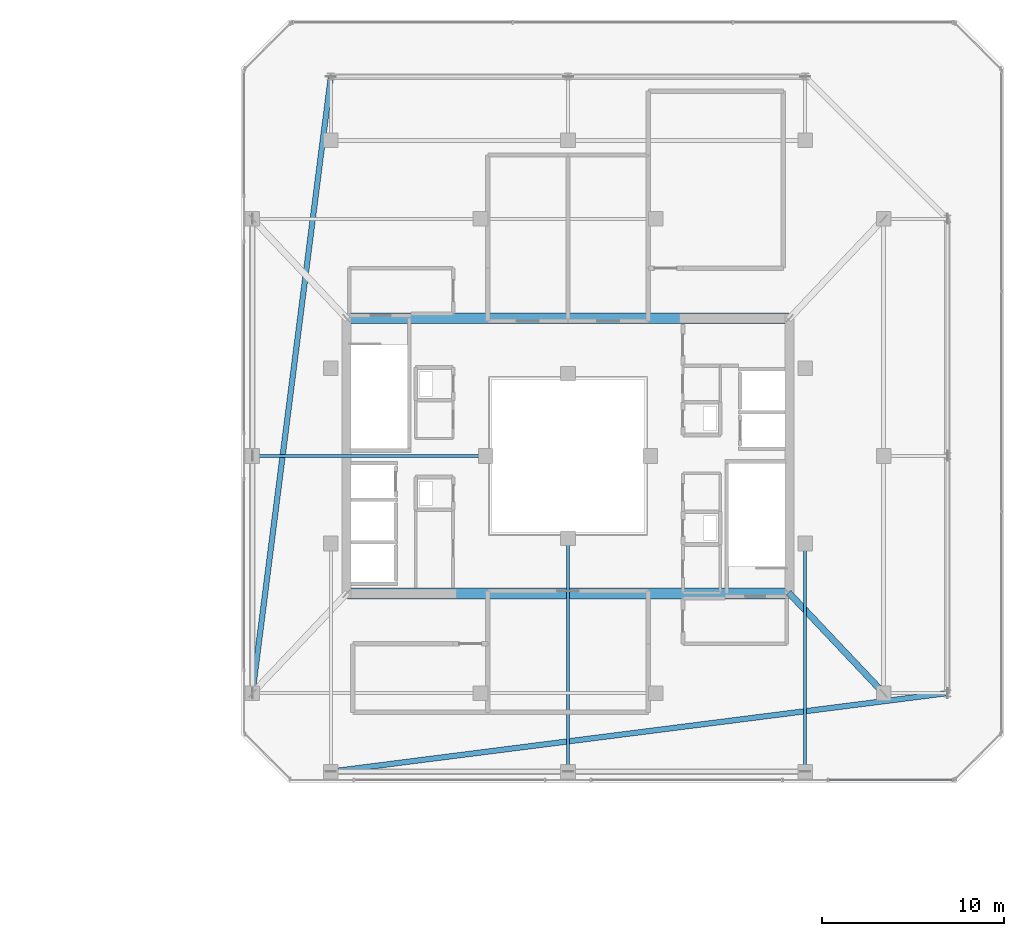
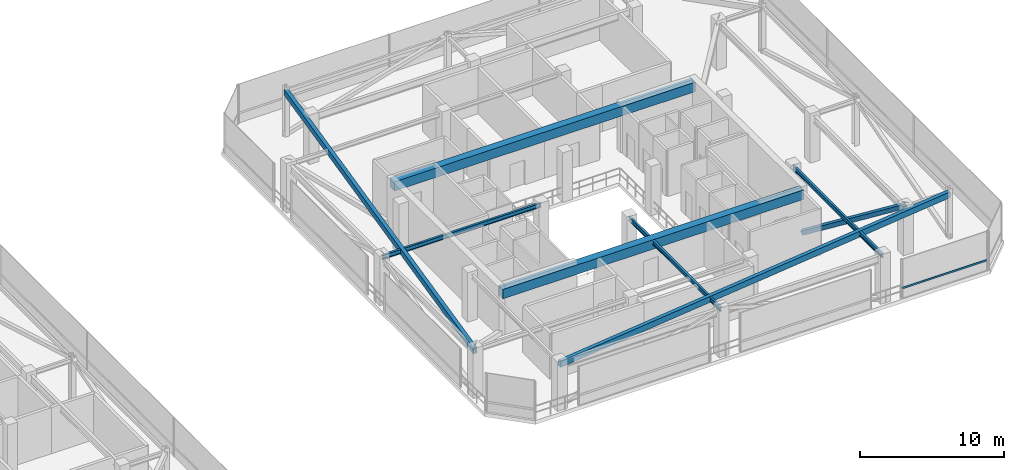
# One storey, part 28 of 47: 7 beams, 2 members, 1 element without a shape of its own.
"""IFC4 building model written with IfcOpenShell, lengths in metres."""

from ifc_helpers import new_model, si_unit, direction, frame, origin, origin_2d, place, context, subcontext, project, spatial, rectangle, hollow_rectangle, i_section, extrude, material, material_profile, profile_set, type_object, element, aggregate, save


model = new_model("IFC4")

# Units and contexts
model_context = context("Model", 3, precision=1e-05, world=origin(), true_north=direction((0.0, 1.0)))
body_context = subcontext(model_context, "Body", "Model", "MODEL_VIEW")
ifc_project = project(units=[si_unit("LENGTHUNIT", "METRE"), si_unit("AREAUNIT", "SQUARE_METRE"), si_unit("VOLUMEUNIT", "CUBIC_METRE"), si_unit("PLANEANGLEUNIT", "RADIAN"), si_unit("MASSUNIT", "GRAM", prefix="KILO")], contexts=[model_context])

# Site, building, storey
site_placement = place(None, origin())
site = spatial("IfcSite", under=ifc_project, at=site_placement, CompositionType="ELEMENT")
building_placement = place(site_placement, origin())
building = spatial("IfcBuilding", under=site, at=building_placement, Name="Thornwick Lancets Civic Towers", CompositionType="ELEMENT")
storey_placement = place(building_placement, frame((0.0, 0.0, 279.89990234375)))
storey = spatial("IfcBuildingStorey", under=building, at=storey_placement, Name="C01", CompositionType="ELEMENT", Elevation=279.89990234375)

# Beams
ifc_material_1 = material(Name="Concrete C60/75", Category="concrete")
ifc_material_profile_1 = material_profile(ifc_material_1, rectangle(XDim=0.60009765625, YDim=0.800048828125, at=origin_2d()), Name="RC 600x800")
ifc_profile_set_1 = profile_set([ifc_material_profile_1], Name="Concrete C60/75")
beam_type_1 = type_object("IfcBeamType", Name="BM_COUP_RC800", PredefinedType="BEAM", material=ifc_profile_set_1)
for number, where, z_axis, x_axis, name in (
    (1, (76.39990234375, 34.550048828125, 3.5400390625), (1.0, 0.0, 0.0), (0.0, 1.0, 0.0), "CB-C01-B1"),
    (2, (76.39990234375, 19.449951171875, 3.5400390625), (1.0, 0.0, 0.0), (0.0, 1.0, 0.0), "CB-C01-B2"),
):
    element("IfcBeam", number, at=place(storey_placement, frame(where, z_axis=z_axis, x_axis=x_axis)), inside=storey, type_object=beam_type_1, Name=name, PredefinedType="BEAM", context=body_context, shape_type="SweptSolid", body=[
        extrude(rectangle(XDim=0.60009765625, YDim=0.800048828125, at=origin_2d()), origin(), (0.0, 0.0, 1.0), 24.2001953125),
    ])
ifc_material_2 = material(Name="Steel S355JR", Category="steel")
ifc_material_profile_2 = material_profile(ifc_material_2, i_section(OverallWidth=0.173095703125, OverallDepth=0.36328125, WebThickness=0.009033203125, FlangeThickness=0.015625, FilletRadius=0.01025390625, at=origin_2d()), Name="UKB 356x171x67")
ifc_profile_set_2 = profile_set([ifc_material_profile_2], Name="Steel S355JR")
beam_type_2 = type_object("IfcBeamType", Name="BM_JOIST_356_67", PredefinedType="JOIST", material=ifc_profile_set_2)
beam_1_placement = place(storey_placement, frame((84.0, 27.0, 3.75830078125), z_axis=(-1.0, 0.0, 0.0), x_axis=(0.0, -1.0, 0.0)))
element("IfcBeam", 3, at=beam_1_placement, inside=storey, type_object=beam_type_2, Name="BM-RADIN-C01-B08", PredefinedType="JOIST", context=body_context, shape_type="SweptSolid", body=[
    extrude(i_section(OverallWidth=0.173095703125, OverallDepth=0.36328125, WebThickness=0.009033203125, FlangeThickness=0.015625, FilletRadius=0.01025390625, at=origin_2d()), origin(), (0.0, 0.0, 1.0), 12.800048828125),
])
beam_2_placement = place(storey_placement, frame((101.5, 22.199951171875, 3.75830078125), z_axis=(0.0, -1.0, 0.0), x_axis=(1.0, 0.0, 0.0)))
element("IfcBeam", 4, at=beam_2_placement, inside=storey, type_object=beam_type_2, Name="BM-RADIN-C01-B10", PredefinedType="JOIST", context=body_context, shape_type="SweptSolid", body=[
    extrude(i_section(OverallWidth=0.173095703125, OverallDepth=0.36328125, WebThickness=0.009033203125, FlangeThickness=0.015625, FilletRadius=0.01025390625, at=origin_2d()), origin(), (0.0, 0.0, 1.0), 12.5),
])
beam_3_placement = place(storey_placement, frame((88.5, 22.5, 3.75830078125), z_axis=(0.0, -1.0, 0.0), x_axis=(1.0, 0.0, 0.0)))
element("IfcBeam", 5, at=beam_3_placement, inside=storey, type_object=beam_type_2, Name="BM-RADIN-C01-B11", PredefinedType="JOIST", context=body_context, shape_type="SweptSolid", body=[
    extrude(i_section(OverallWidth=0.173095703125, OverallDepth=0.36328125, WebThickness=0.009033203125, FlangeThickness=0.015625, FilletRadius=0.01025390625, at=origin_2d()), origin(), (0.0, 0.0, 1.0), 12.800048828125),
])
ifc_material_3 = material(Name="Steel S460M", Category="steel")
ifc_material_profile_3 = material_profile(ifc_material_3, hollow_rectangle(XDim=0.300048828125, YDim=0.5, WallThickness=0.02001953125, at=origin_2d()), Name="RHS 500x300x20")
ifc_profile_set_3 = profile_set([ifc_material_profile_3], Name="Steel S460M")
beam_type_3 = type_object("IfcBeamType", Name="BM_RING_RHS500", PredefinedType="BEAM", material=ifc_profile_set_3)
for number, where, z_axis, x_axis, name in (
    (6, (75.5, 47.800048828125, 3.690185546875), (-0.126202998662, -0.992004437051, 0.0), (0.992004437051, -0.126202998662, 0.0), "BM-CHAMF-C01-B-C1"),
    (7, (75.5, 9.699951171875, 3.690185546875), (0.992004437051, 0.126202998662, 0.0), (-0.126202998662, 0.992004437051, 0.0), "BM-CHAMF-C01-B-C3"),
):
    element("IfcBeam", number, at=place(storey_placement, frame(where, z_axis=z_axis, x_axis=x_axis)), inside=storey, type_object=beam_type_3, Name=name, PredefinedType="BEAM", context=body_context, shape_type="SweptSolid", body=[
        extrude(hollow_rectangle(XDim=0.300048828125, YDim=0.5, WallThickness=0.02001953125, at=origin_2d()), origin(), (0.0, 0.0, 1.0), 34.072509765625),
    ])

# Curtain wall, member
ifc_material_4 = material(Name="Crown ring acoustic-louvre and glazing screen wall", Category="glass")
curtain_wall_type = type_object("IfcCurtainWallType", Name="CW_SYS_07", PredefinedType="NOTDEFINED", material=ifc_material_4)
curtain_wall_placement = place(storey_placement, origin())
curtain_wall = element("IfcCurtainWall", 8, at=curtain_wall_placement, inside=storey, type_object=curtain_wall_type, Name="C01 Curtain Wall CW-C01-B-E0-S3", PredefinedType="NOTDEFINED")
ifc_material_5 = material(Name="Thermally broken bronze aluminium S355", Category="steel")
ifc_material_profile_4 = material_profile(ifc_material_5, hollow_rectangle(XDim=0.074951171875, YDim=0.14990234375, WallThickness=0.0048828125, at=origin_2d()), Name="RHS 150x75x5")
ifc_profile_set_4 = profile_set([ifc_material_profile_4], Name="Thermally broken bronze aluminium S355")
member_type_1 = type_object("IfcMemberType", Name="CW_TRN_150", PredefinedType="USERDEFINED", material=ifc_profile_set_4)
member_1_placement = place(storey_placement, frame((102.77001953125, 9.2353515625, 0.85009765625), z_axis=(1.0, 0.0, 0.0), x_axis=(0.0, 1.0, 0.0)))
member_1 = element("IfcMember", 9, at=member_1_placement, type_object=member_type_1, Name="CW-C01-B-E0-S3 Transom 0", ObjectType="TRANSOM", PredefinedType="USERDEFINED", context=body_context, shape_type="SweptSolid", body=[
    extrude(hollow_rectangle(XDim=0.074951171875, YDim=0.14990234375, WallThickness=0.0048828125, at=origin_2d()), origin(), (0.0, 0.0, 1.0), 6.811279296875),
])
aggregate(curtain_wall, [member_1])

# Member
ifc_material_profile_5 = material_profile(ifc_material_3, hollow_rectangle(XDim=0.35009765625, YDim=0.35009765625, WallThickness=0.01611328125, at=origin_2d()), Name="SHS 350x350x16")
ifc_profile_set_5 = profile_set([ifc_material_profile_5], Name="Steel S460M")
member_type_2 = type_object("IfcMemberType", Name="MEM_OUTRIG_SHS350", PredefinedType="BRACE", material=ifc_profile_set_5)
member_2_placement = place(storey_placement, frame((100.64990234375, 19.449951171875, 0.150146484375), z_axis=(0.612980761558, -0.648664116628, 0.451098048942), x_axis=(0.726815378038, 0.686832880872, 0.0)))
element("IfcMember", 10, at=member_2_placement, inside=storey, type_object=member_type_2, Name="C01 Outrigger Brace B-1", PredefinedType="BRACE", context=body_context, shape_type="SweptSolid", body=[
    extrude(hollow_rectangle(XDim=0.35009765625, YDim=0.35009765625, WallThickness=0.01611328125, at=origin_2d()), origin(), (0.0, 0.0, 1.0), 8.40185546875),
])

save(model, "model.ifc")
